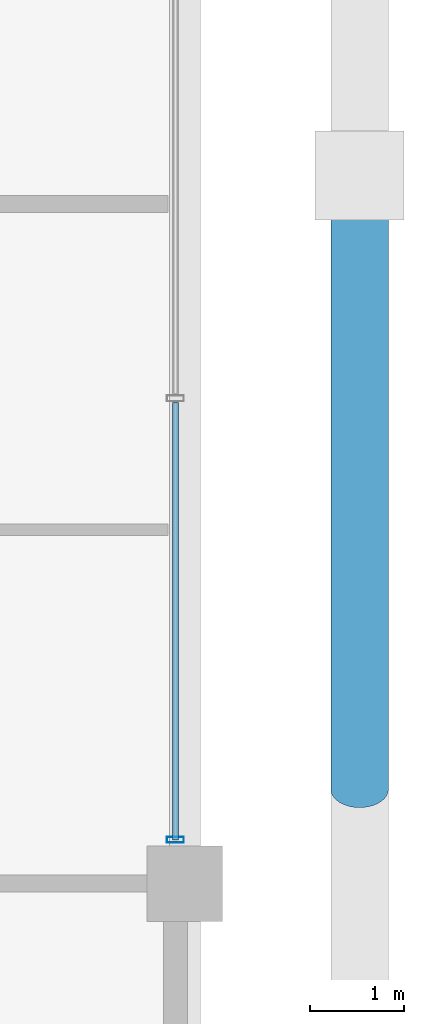
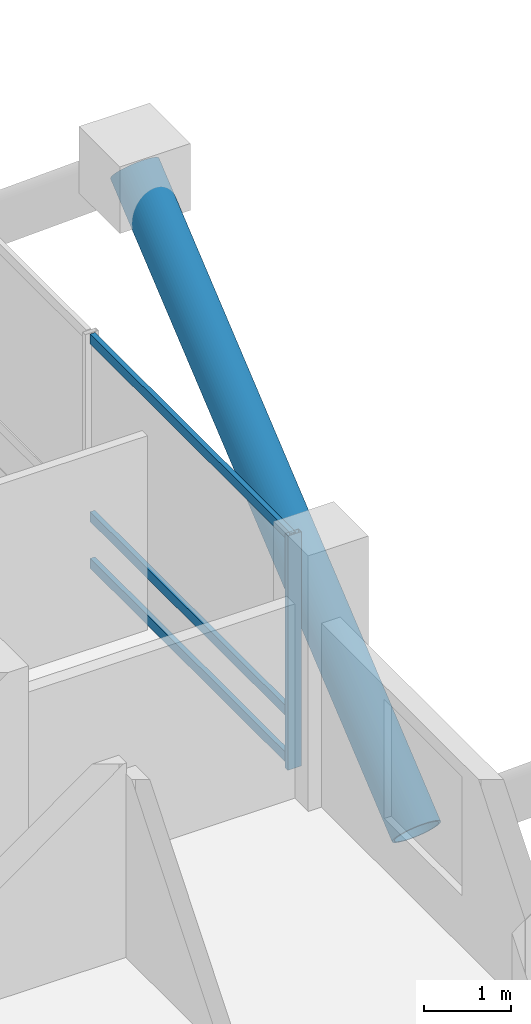
# One storey, part 8 of 24: 5 members, 1 element without a shape of its own.
"""IFC4 building model written with IfcOpenShell, lengths in metres."""

import ifcopenshell
import ifcopenshell.guid

model = None  # the IFC model being written
_history = None  # IfcOwnerHistory: only IFC2X3 demands one
_inside = {}  # id of a spatial element -> (the spatial element, [elements in it])
_under = {}  # id of a project, library or spatial element -> (it, [spatial elements below it])
_declared = {}  # id of a project -> (the project, [libraries it declares])
_typed = {}  # id of a type object -> (the type object, [elements of that type])
_made_of = {}  # id of a material, layer set ... -> (it, [elements and type objects made of it])


def new_model(schema):
    """Start an empty IFC model of exactly this schema.

    Asked for "IFC4X3", IfcOpenShell would pick the latest addendum, in which some entities
    have other attributes; the version numbers below select the first issue.
    IFC2X3 requires an IfcOwnerHistory on every rooted entity: one is made here for all.
    """
    global model, _history
    if schema == "IFC4X3":
        model = ifcopenshell.file(schema_version=(4, 3, 0, 0))
    else:
        model = ifcopenshell.file(schema=schema)
    _inside.clear()
    _under.clear()
    _declared.clear()
    _typed.clear()
    _made_of.clear()
    _history = None
    if model.schema == "IFC2X3":
        org = make("IfcOrganization", Name="unknown")
        user = make(
            "IfcPersonAndOrganization",
            ThePerson=make("IfcPerson", FamilyName="unknown"),
            TheOrganization=org,
        )
        app = make(
            "IfcApplication",
            ApplicationDeveloper=org,
            Version="unknown",
            ApplicationFullName="unknown",
            ApplicationIdentifier="unknown",
        )
        _history = make(
            "IfcOwnerHistory",
            OwningUser=user,
            OwningApplication=app,
            ChangeAction="ADDED",
            CreationDate=0,
        )
    return model


def make(cls, **values):
    """One entity of the class cls with the attributes given. An attribute that is None is left unset."""
    return model.create_entity(
        cls, **{name: value for name, value in values.items() if value is not None}
    )


def rooted(cls, **values):
    """An entity with a GlobalId (a new one), such as an element, a storey or a relation."""
    return make(cls, GlobalId=ifcopenshell.guid.new(), OwnerHistory=_history, **values)


def si_unit(unit_type, name, prefix=None):
    """IfcSIUnit, for example si_unit("LENGTHUNIT", "METRE", prefix="MILLI")."""
    return make("IfcSIUnit", UnitType=unit_type, Prefix=prefix, Name=name)


def assignment(units):
    """IfcUnitAssignment: the units of a project."""
    return None if units is None else make("IfcUnitAssignment", Units=units)


def point(xyz):
    """IfcCartesianPoint."""
    return None if xyz is None else make("IfcCartesianPoint", Coordinates=xyz)


def direction(xyz):
    """IfcDirection."""
    return None if xyz is None else make("IfcDirection", DirectionRatios=xyz)


def frame(location, z_axis=None, x_axis=None):
    """IfcAxis2Placement3D, a coordinate frame: its origin and axes. An axis left out is left unset."""
    return make(
        "IfcAxis2Placement3D",
        Location=point(location),
        Axis=direction(z_axis),
        RefDirection=direction(x_axis),
    )


def frame_2d(location, x_axis=None):
    """IfcAxis2Placement2D, a coordinate frame in the plane: its origin and x axis."""
    return make(
        "IfcAxis2Placement2D", Location=point(location), RefDirection=direction(x_axis)
    )


def origin():
    """The frame at (0, 0, 0) with its axes left unset."""
    return frame((0.0, 0.0, 0.0))


def origin_2d():
    """The frame at (0, 0) in the plane with its x axis left unset."""
    return frame_2d((0.0, 0.0))


def place(relative_to, where):
    """IfcLocalPlacement: puts the frame where relative to a parent placement (None: the world)."""
    return make(
        "IfcLocalPlacement", PlacementRelTo=relative_to, RelativePlacement=where
    )


def context(
    kind, dimensions, precision=None, world=None, true_north=None, identifier=None
):
    """IfcGeometricRepresentationContext, for example the 3D "Model" context."""
    return make(
        "IfcGeometricRepresentationContext",
        ContextIdentifier=identifier,
        ContextType=kind,
        CoordinateSpaceDimension=dimensions,
        Precision=precision,
        WorldCoordinateSystem=world,
        TrueNorth=true_north,
    )


def subcontext(parent, identifier, kind, view, scale=None):
    """IfcGeometricRepresentationSubContext, for example "Body" below "Model"."""
    return make(
        "IfcGeometricRepresentationSubContext",
        ContextIdentifier=identifier,
        ContextType=kind,
        ParentContext=parent,
        TargetScale=scale,
        TargetView=view,
    )


def project(units=None, contexts=None):
    """IfcProject with its units and contexts."""
    return rooted(
        "IfcProject",
        Name="project",
        RepresentationContexts=contexts,
        UnitsInContext=assignment(units),
    )


def spatial(cls, under=None, at=None, **own):
    """A site, building, storey or space (cls), placed at a placement, below another one or the project."""
    s = rooted(cls, ObjectPlacement=at, **own)
    if under is not None:
        _under.setdefault(under.id(), (under, []))[1].append(s)
    return s


def profile(cls, at=None, kind="AREA", **sizes):
    """A parametric profile (cls). Its sizes go by their IFC names, for example OverallWidth=200.0."""
    return make(cls, ProfileType=kind, Position=at, **sizes)


def hollow_rectangle(**sizes):
    """IfcRectangleHollowProfileDef."""
    return profile("IfcRectangleHollowProfileDef", **sizes)


def hollow_circle(**sizes):
    """IfcCircleHollowProfileDef."""
    return profile("IfcCircleHollowProfileDef", **sizes)


def extrude(swept, where, along, depth):
    """IfcExtrudedAreaSolid: the profile swept, set in the frame where, extruded along a direction by depth."""
    return make(
        "IfcExtrudedAreaSolid",
        SweptArea=swept,
        Position=where,
        ExtrudedDirection=direction(along),
        Depth=depth,
    )


def shape(context_of_items, identifier, shape_type, items):
    """IfcShapeRepresentation: the items that make up one representation, for example the "Body"."""
    return make(
        "IfcShapeRepresentation",
        ContextOfItems=context_of_items,
        RepresentationIdentifier=identifier,
        RepresentationType=shape_type,
        Items=items,
    )


def material(Name=None, Category=None):
    """IfcMaterial."""
    return make("IfcMaterial", Name=Name, Category=Category)


def layer(
    of_material, thickness, ventilated=None, Name=None, Category=None, Priority=None
):
    """IfcMaterialLayer: one layer of a wall or slab, of a material (None: an air gap)."""
    return make(
        "IfcMaterialLayer",
        Material=of_material,
        LayerThickness=thickness,
        IsVentilated=ventilated,
        Name=Name,
        Category=Category,
        Priority=Priority,
    )


def layer_set(layers, Name=None):
    """IfcMaterialLayerSet."""
    return make("IfcMaterialLayerSet", MaterialLayers=layers, LayerSetName=Name)


def material_profile(
    of_material, cross_section, Name=None, Category=None, Priority=None
):
    """IfcMaterialProfile: a cross section and its material."""
    return make(
        "IfcMaterialProfile",
        Name=Name,
        Material=of_material,
        Profile=cross_section,
        Priority=Priority,
        Category=Category,
    )


def profile_set(profiles, Name=None, composite=None):
    """IfcMaterialProfileSet."""
    return make(
        "IfcMaterialProfileSet",
        Name=Name,
        MaterialProfiles=profiles,
        CompositeProfile=composite,
    )


def made_of(thing, what):
    """Note that an element or type object is made of a material, layer set ...; save() writes the relation."""
    if what is not None:
        _made_of.setdefault(what.id(), (what, []))[1].append(thing)
    return thing


def type_object(cls, material=None, **own):
    """A type object (cls), such as IfcWallType, which elements share."""
    return made_of(rooted(cls, **own), material)


def element(
    cls,
    number,
    at=None,
    inside=None,
    cuts=None,
    type_object=None,
    material=None,
    context=None,
    identifier="Body",
    shape_type=None,
    held_by="IfcProductDefinitionShape",
    body=None,
    shapes=None,
    **own,
):
    """One element of the class cls, such as IfcWall. Its Tag is "e" and its number.

    at: its placement. inside: the storey or other place that contains it. cuts: it is an
    opening in that element (IfcRelVoidsElement). A single representation is given by context,
    identifier, shape_type and body (its items); several are given by shapes. held_by: the class
    of the entity that holds the representations. save() writes the other relations.
    """
    e = rooted(cls, Tag="e%d" % number, ObjectPlacement=at, **own)
    if body is not None:
        shapes = [shape(context, identifier, shape_type, body)]
    if shapes is not None:
        e.Representation = make(held_by, Representations=shapes)
    if inside is not None:
        _inside.setdefault(inside.id(), (inside, []))[1].append(e)
    if cuts is not None:
        rooted(
            "IfcRelVoidsElement", RelatingBuildingElement=cuts, RelatedOpeningElement=e
        )
    if type_object is not None:
        _typed.setdefault(type_object.id(), (type_object, []))[1].append(e)
    return made_of(e, material)


def aggregate(whole, parts):
    """IfcRelAggregates: a whole, such as a stair, and the parts it consists of."""
    return rooted("IfcRelAggregates", RelatingObject=whole, RelatedObjects=parts)


def save(model, path):
    """Write the relations noted so far, then the file.

    IfcRelAggregates (storeys below a building ...), IfcRelContainedInSpatialStructure (elements
    in a storey), IfcRelDefinesByType, IfcRelAssociatesMaterial and IfcRelDeclares: one each for
    every whole, place, type object, material and project.
    """
    for whole, parts in _under.values():
        aggregate(whole, parts)
    for where, things in _inside.values():
        rooted(
            "IfcRelContainedInSpatialStructure",
            RelatedElements=things,
            RelatingStructure=where,
        )
    for kind, things in _typed.values():
        rooted("IfcRelDefinesByType", RelatedObjects=things, RelatingType=kind)
    for what, things in _made_of.values():
        rooted("IfcRelAssociatesMaterial", RelatedObjects=things, RelatingMaterial=what)
    for by, libraries in _declared.values():
        rooted("IfcRelDeclares", RelatingContext=by, RelatedDefinitions=libraries)
    model.write(path)


model = new_model("IFC4")

# Units and contexts
model_context = context("Model", 3, precision=1e-05, world=origin(), true_north=direction((0.0, 1.0)))
body_context = subcontext(model_context, "Body", "Model", "MODEL_VIEW")
ifc_project = project(units=[si_unit("LENGTHUNIT", "METRE"), si_unit("AREAUNIT", "SQUARE_METRE"), si_unit("VOLUMEUNIT", "CUBIC_METRE"), si_unit("PLANEANGLEUNIT", "RADIAN"), si_unit("MASSUNIT", "GRAM", prefix="KILO")], contexts=[model_context])

# Site, building, storey
site_placement = place(None, origin())
site = spatial("IfcSite", under=ifc_project, at=site_placement, CompositionType="ELEMENT")
building_placement = place(site_placement, origin())
building = spatial("IfcBuilding", under=site, at=building_placement, Name="Barlavira Tower and Art Museum", CompositionType="ELEMENT")
storey_placement = place(building_placement, frame((0.0, 0.0, 90.0)))
storey = spatial("IfcBuildingStorey", under=building, at=storey_placement, Name="L22", CompositionType="ELEMENT", Elevation=90.0)

# Curtain wall, members
ifc_material_1 = material(Name="Low-iron coastal laminated glass", Category="glass")
ifc_layer = layer(ifc_material_1, 0.179931640625, Name="Low-iron coastal laminated glass")
ifc_layer_set = layer_set([ifc_layer], Name="Low-iron coastal laminated glass")
curtain_wall_type = type_object("IfcCurtainWallType", Name="Pale-Metal Unitised Curtain Wall Zone 1", PredefinedType="NOTDEFINED", material=ifc_layer_set)
curtain_wall_placement = place(storey_placement, origin())
curtain_wall = element("IfcCurtainWall", 1, at=curtain_wall_placement, inside=storey, type_object=curtain_wall_type, Name="L22 Curtain Wall CW1-L22-E-B3", PredefinedType="NOTDEFINED")
ifc_material_2 = material(Name="Pale anodised aluminium", Category="aluminium")
ifc_material_profile_1 = material_profile(ifc_material_2, hollow_rectangle(XDim=0.06494140625, YDim=0.179931640625, WallThickness=0.00390625, at=origin_2d()), Name="ALU-MULL 65x180x4")
ifc_profile_set_1 = profile_set([ifc_material_profile_1], Name="Pale anodised aluminium")
member_type_1 = type_object("IfcMemberType", Name="Curtain Wall Pale-Metal Mullion 65x180", PredefinedType="MULLION", material=ifc_profile_set_1)
member_1_placement = place(storey_placement, frame((21.89990234375, -7.034912109375, 0.0), z_axis=(0.0, 0.0, 1.0), x_axis=(0.0, 1.0, 0.0)))
member_1 = element("IfcMember", 2, at=member_1_placement, type_object=member_type_1, Name="CW1-L22-E-B3 Mullion 0", PredefinedType="MULLION", context=body_context, shape_type="SweptSolid", body=[
    extrude(hollow_rectangle(XDim=0.06494140625, YDim=0.179931640625, WallThickness=0.00390625, at=origin_2d()), origin(), (0.0, 0.0, 1.0), 3.300048828125),
])
ifc_material_profile_2 = material_profile(ifc_material_2, hollow_rectangle(XDim=0.06494140625, YDim=0.139892578125, WallThickness=0.00390625, at=origin_2d()), Name="ALU-TRAN 65x140x4")
ifc_profile_set_2 = profile_set([ifc_material_profile_2], Name="Pale anodised aluminium")
member_type_2 = type_object("IfcMemberType", Name="Curtain Wall Pale-Metal Transom 65x140", PredefinedType="USERDEFINED", material=ifc_profile_set_2)
member_2_placement = place(storey_placement, frame((21.89990234375, -7.034912109375, 0.070068359375), z_axis=(0.0, 1.0, 0.0), x_axis=(-1.0, 0.0, 0.0)))
member_2 = element("IfcMember", 3, at=member_2_placement, type_object=member_type_2, Name="CW1-L22-E-B3 Transom 0.1", ObjectType="TRANSOM", PredefinedType="USERDEFINED", context=body_context, shape_type="SweptSolid", body=[
    extrude(hollow_rectangle(XDim=0.06494140625, YDim=0.139892578125, WallThickness=0.00390625, at=origin_2d()), origin(), (0.0, 0.0, 1.0), 4.6298828125),
])
member_3_placement = place(storey_placement, frame((21.89990234375, -7.034912109375, 0.72607421875), z_axis=(0.0, 1.0, 0.0), x_axis=(-1.0, 0.0, 0.0)))
member_3 = element("IfcMember", 4, at=member_3_placement, type_object=member_type_2, Name="CW1-L22-E-B3 Transom 0.2", ObjectType="TRANSOM", PredefinedType="USERDEFINED", context=body_context, shape_type="SweptSolid", body=[
    extrude(hollow_rectangle(XDim=0.06494140625, YDim=0.139892578125, WallThickness=0.00390625, at=origin_2d()), origin(), (0.0, 0.0, 1.0), 4.6298828125),
])
member_4_placement = place(storey_placement, frame((21.89990234375, -7.034912109375, 3.22998046875), z_axis=(0.0, 1.0, 0.0), x_axis=(-1.0, 0.0, 0.0)))
member_4 = element("IfcMember", 5, at=member_4_placement, type_object=member_type_2, Name="CW1-L22-E-B3 Transom 0.3", ObjectType="TRANSOM", PredefinedType="USERDEFINED", context=body_context, shape_type="SweptSolid", body=[
    extrude(hollow_rectangle(XDim=0.06494140625, YDim=0.139892578125, WallThickness=0.00390625, at=origin_2d()), origin(), (0.0, 0.0, 1.0), 4.6298828125),
])
aggregate(curtain_wall, [member_1, member_2, member_3, member_4])

# Member
ifc_material_3 = material(Name="Steel S355", Category="steel")
ifc_material_profile_3 = material_profile(ifc_material_3, hollow_circle(Radius=0.304931640625, WallThickness=0.028076171875, at=origin_2d()), Name="CHS 610.0x28.0")
ifc_profile_set_3 = profile_set([ifc_material_profile_3], Name="Steel S355")
member_type_3 = type_object("IfcMemberType", Name="Pale-Metal Exoskeleton Diagrid Tube CHS 610x28 Steel S355", PredefinedType="BRACE", material=ifc_profile_set_3)
member_5_placement = place(storey_placement, frame((23.85009765625, -6.5, -1.919921875), z_axis=(0.0, 0.769196053329, 0.639012857104), x_axis=(-1.0, 0.0, 0.0)))
element("IfcMember", 6, at=member_5_placement, inside=storey, type_object=member_type_3, Name="L22 Exoskeleton Diagrid Tube E", PredefinedType="BRACE", context=body_context, shape_type="SweptSolid", body=[
    extrude(hollow_circle(Radius=0.304931640625, WallThickness=0.028076171875, at=origin_2d()), origin(), (0.0, 0.0, 1.0), 8.450439453125),
])

save(model, "model.ifc")
